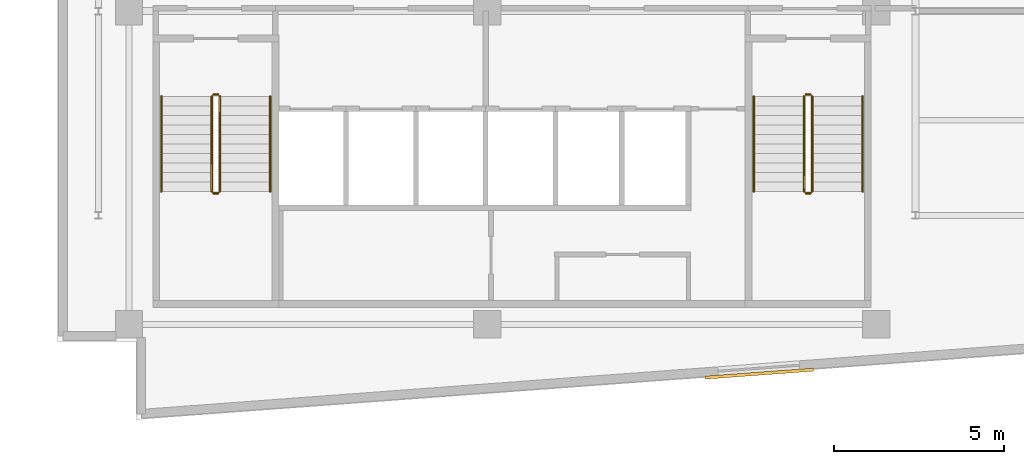
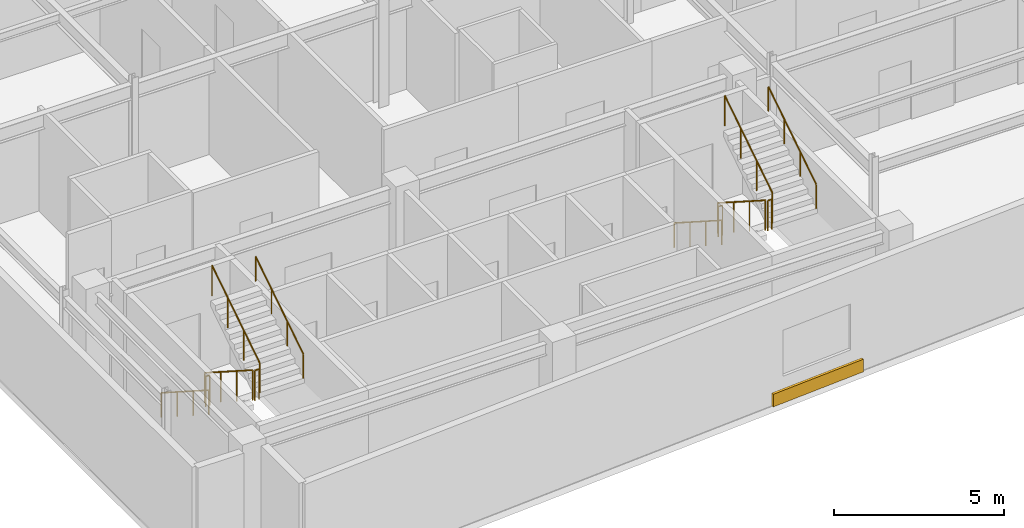
# One storey, part 13 of 15: 12 railings, 1 covering.
"""IFC4 building model written with IfcOpenShell, lengths in metres."""

from ifc_helpers import new_model, si_unit, direction, frame, origin, origin_2d, place, context, subcontext, project, spatial, rectangle, circle, extrude, material, layer, layer_set, type_object, element, save


model = new_model("IFC4")

# Units and contexts
model_context = context("Model", 3, precision=1e-05, world=origin(), true_north=direction((0.0, 1.0)))
body_context = subcontext(model_context, "Body", "Model", "MODEL_VIEW")
ifc_project = project(units=[si_unit("LENGTHUNIT", "METRE"), si_unit("AREAUNIT", "SQUARE_METRE"), si_unit("VOLUMEUNIT", "CUBIC_METRE"), si_unit("PLANEANGLEUNIT", "RADIAN"), si_unit("MASSUNIT", "GRAM", prefix="KILO")], contexts=[model_context])

# Site, building, storey
site_placement = place(None, origin())
site = spatial("IfcSite", under=ifc_project, at=site_placement, CompositionType="ELEMENT")
building_placement = place(site_placement, origin())
building = spatial("IfcBuilding", under=site, at=building_placement, Name="Varnakote Quay Hospital", CompositionType="ELEMENT")
storey_placement = place(building_placement, frame((0.0, 0.0, 284.199951171875)))
storey = spatial("IfcBuildingStorey", under=building, at=storey_placement, Name="L70", CompositionType="ELEMENT", Elevation=284.199951171875)

# Covering
ifc_material_1 = material(Name="Kiln-fired red brick architectural cladding", Category="masonry")
ifc_layer = layer(ifc_material_1, 0.090087890625)
ifc_layer_set = layer_set([ifc_layer], Name="Kiln-fired red brick architectural cladding")
covering_type = type_object("IfcCoveringType", Name="COV-BRICK-CLAD-90", PredefinedType="CLADDING", material=ifc_layer_set)
covering_placement = place(storey_placement, frame((20.61181640625, 1.350830078125, 0.0), z_axis=(0.0, 0.0, 1.0), x_axis=(0.997288851512, 0.073586321085, 0.0)))
element("IfcCovering", 1, at=covering_placement, inside=storey, type_object=covering_type, Name="L70 Kiln-Brick Precast Spandrel Cladding Band", PredefinedType="CLADDING", context=body_context, shape_type="SweptSolid", body=[
    extrude(rectangle(XDim=3.199951171875, YDim=0.090087890625, at=origin_2d()), origin(), (0.0, 0.0, 1.0), 0.449951171875),
])

# Railings
ifc_material_2 = material(Name="Brushed stainless steel balustrade", Category="steel")
railing_type_1 = type_object("IfcRailingType", Name="RLG-STAIR-GUARD-1150", PredefinedType="GUARDRAIL", material=ifc_material_2)
railing_1_placement = place(storey_placement, frame((4.530029296875, 9.5, 0.1796875)))
element("IfcRailing", 2, at=railing_1_placement, inside=storey, type_object=railing_type_1, Name="L70 ST-01 stair guard 1", PredefinedType="GUARDRAIL", context=body_context, shape_type="SweptSolid", body=[
    extrude(circle(Radius=0.02392578125, at=origin_2d()), frame((0.0, 0.0, 1.076171875), z_axis=(0.0, -0.841809871826, 0.539774156196), x_axis=(1.0, 0.0, 0.0)), (0.0, 0.0, 1.0), 3.326171875),
    extrude(circle(Radius=0.02099609375, at=origin_2d()), origin(), (0.0, 0.0, 1.0), 1.052001953125),
    extrude(circle(Radius=0.02099609375, at=origin_2d()), frame((0.0, -0.933349609375, 0.598388671875)), (0.0, 0.0, 1.0), 1.052001953125),
    extrude(circle(Radius=0.02099609375, at=origin_2d()), frame((0.0, -1.86669921875, 1.197021484375)), (0.0, 0.0, 1.0), 1.052001953125),
    extrude(circle(Radius=0.02099609375, at=origin_2d()), frame((0.0, -2.800048828125, 1.79541015625)), (0.0, 0.0, 1.0), 1.052001953125),
])
railing_2_placement = place(storey_placement, frame((4.580078125, 6.64990234375, 1.97509765625)))
element("IfcRailing", 3, at=railing_2_placement, inside=storey, type_object=railing_type_1, Name="L70 ST-01 stair guard 2", PredefinedType="GUARDRAIL", context=body_context, shape_type="SweptSolid", body=[
    extrude(circle(Radius=0.02392578125, at=origin_2d()), frame((0.0, 0.0, 1.076171875), z_axis=(1.0, 0.0, 0.0), x_axis=(0.0, 1.0, 0.0)), (0.0, 0.0, 1.0), 0.139892578125),
    extrude(circle(Radius=0.02099609375, at=origin_2d()), origin(), (0.0, 0.0, 1.0), 1.052001953125),
    extrude(circle(Radius=0.02099609375, at=origin_2d()), frame((0.139892578125, 0.0, 0.0)), (0.0, 0.0, 1.0), 1.052001953125),
])
railing_3_placement = place(storey_placement, frame((4.77001953125, 6.699951171875, 2.154541015625)))
element("IfcRailing", 4, at=railing_3_placement, inside=storey, type_object=railing_type_1, Name="L70 ST-01 stair guard 3", PredefinedType="GUARDRAIL", context=body_context, shape_type="SweptSolid", body=[
    extrude(circle(Radius=0.02392578125, at=origin_2d()), frame((0.0, 0.0, 1.076171875), z_axis=(0.0, 0.841809871826, 0.539774156196), x_axis=(-1.0, 0.0, 0.0)), (0.0, 0.0, 1.0), 3.326171875),
    extrude(circle(Radius=0.02099609375, at=origin_2d()), origin(), (0.0, 0.0, 1.0), 1.052001953125),
    extrude(circle(Radius=0.02099609375, at=origin_2d()), frame((0.0, 0.933349609375, 0.598388671875)), (0.0, 0.0, 1.0), 1.052001953125),
    extrude(circle(Radius=0.02099609375, at=origin_2d()), frame((0.0, 1.86669921875, 1.197021484375)), (0.0, 0.0, 1.0), 1.052001953125),
    extrude(circle(Radius=0.02099609375, at=origin_2d()), frame((0.0, 2.800048828125, 1.79541015625)), (0.0, 0.0, 1.0), 1.052001953125),
])
railing_4_placement = place(storey_placement, frame((4.580078125, 9.550048828125, 0.0)))
element("IfcRailing", 5, at=railing_4_placement, inside=storey, type_object=railing_type_1, Name="L70 ST-01 stair guard 4", PredefinedType="GUARDRAIL", context=body_context, shape_type="SweptSolid", body=[
    extrude(circle(Radius=0.02392578125, at=origin_2d()), frame((0.0, 0.0, 1.076171875), z_axis=(1.0, 0.0, 0.0), x_axis=(0.0, 1.0, 0.0)), (0.0, 0.0, 1.0), 0.139892578125),
    extrude(circle(Radius=0.02099609375, at=origin_2d()), origin(), (0.0, 0.0, 1.0), 1.052001953125),
    extrude(circle(Radius=0.02099609375, at=origin_2d()), frame((0.139892578125, 0.0, 0.0)), (0.0, 0.0, 1.0), 1.052001953125),
])
railing_5_placement = place(storey_placement, frame((21.929931640625, 9.5, 0.1796875)))
element("IfcRailing", 6, at=railing_5_placement, inside=storey, type_object=railing_type_1, Name="L70 ST-02 stair guard 1", PredefinedType="GUARDRAIL", context=body_context, shape_type="SweptSolid", body=[
    extrude(circle(Radius=0.02392578125, at=origin_2d()), frame((0.0, 0.0, 1.076171875), z_axis=(0.0, -0.841809871826, 0.539774156196), x_axis=(1.0, 0.0, 0.0)), (0.0, 0.0, 1.0), 3.326171875),
    extrude(circle(Radius=0.02099609375, at=origin_2d()), origin(), (0.0, 0.0, 1.0), 1.052001953125),
    extrude(circle(Radius=0.02099609375, at=origin_2d()), frame((0.0, -0.933349609375, 0.598388671875)), (0.0, 0.0, 1.0), 1.052001953125),
    extrude(circle(Radius=0.02099609375, at=origin_2d()), frame((0.0, -1.86669921875, 1.197021484375)), (0.0, 0.0, 1.0), 1.052001953125),
    extrude(circle(Radius=0.02099609375, at=origin_2d()), frame((0.0, -2.800048828125, 1.79541015625)), (0.0, 0.0, 1.0), 1.052001953125),
])
railing_6_placement = place(storey_placement, frame((21.97998046875, 6.64990234375, 1.97509765625)))
element("IfcRailing", 7, at=railing_6_placement, inside=storey, type_object=railing_type_1, Name="L70 ST-02 stair guard 2", PredefinedType="GUARDRAIL", context=body_context, shape_type="SweptSolid", body=[
    extrude(circle(Radius=0.02392578125, at=origin_2d()), frame((0.0, 0.0, 1.076171875), z_axis=(1.0, 0.0, 0.0), x_axis=(0.0, 1.0, 0.0)), (0.0, 0.0, 1.0), 0.14013671875),
    extrude(circle(Radius=0.02099609375, at=origin_2d()), origin(), (0.0, 0.0, 1.0), 1.052001953125),
    extrude(circle(Radius=0.02099609375, at=origin_2d()), frame((0.14013671875, 0.0, 0.0)), (0.0, 0.0, 1.0), 1.052001953125),
])
railing_7_placement = place(storey_placement, frame((22.169921875, 6.699951171875, 2.154541015625)))
element("IfcRailing", 8, at=railing_7_placement, inside=storey, type_object=railing_type_1, Name="L70 ST-02 stair guard 3", PredefinedType="GUARDRAIL", context=body_context, shape_type="SweptSolid", body=[
    extrude(circle(Radius=0.02392578125, at=origin_2d()), frame((0.0, 0.0, 1.076171875), z_axis=(0.0, 0.841809871826, 0.539774156196), x_axis=(-1.0, 0.0, 0.0)), (0.0, 0.0, 1.0), 3.326171875),
    extrude(circle(Radius=0.02099609375, at=origin_2d()), origin(), (0.0, 0.0, 1.0), 1.052001953125),
    extrude(circle(Radius=0.02099609375, at=origin_2d()), frame((0.0, 0.933349609375, 0.598388671875)), (0.0, 0.0, 1.0), 1.052001953125),
    extrude(circle(Radius=0.02099609375, at=origin_2d()), frame((0.0, 1.86669921875, 1.197021484375)), (0.0, 0.0, 1.0), 1.052001953125),
    extrude(circle(Radius=0.02099609375, at=origin_2d()), frame((0.0, 2.800048828125, 1.79541015625)), (0.0, 0.0, 1.0), 1.052001953125),
])
railing_8_placement = place(storey_placement, frame((21.97998046875, 9.550048828125, 0.0)))
element("IfcRailing", 9, at=railing_8_placement, inside=storey, type_object=railing_type_1, Name="L70 ST-02 stair guard 4", PredefinedType="GUARDRAIL", context=body_context, shape_type="SweptSolid", body=[
    extrude(circle(Radius=0.02392578125, at=origin_2d()), frame((0.0, 0.0, 1.076171875), z_axis=(1.0, 0.0, 0.0), x_axis=(0.0, 1.0, 0.0)), (0.0, 0.0, 1.0), 0.14013671875),
    extrude(circle(Radius=0.02099609375, at=origin_2d()), origin(), (0.0, 0.0, 1.0), 1.052001953125),
    extrude(circle(Radius=0.02099609375, at=origin_2d()), frame((0.14013671875, 0.0, 0.0)), (0.0, 0.0, 1.0), 1.052001953125),
])
ifc_material_3 = material(Name="Brushed stainless steel handrail", Category="steel")
railing_type_2 = type_object("IfcRailingType", Name="RLG-STAIR-HND-920", PredefinedType="HANDRAIL", material=ifc_material_3)
railing_9_placement = place(storey_placement, frame((3.050048828125, 9.5, 0.1796875)))
element("IfcRailing", 10, at=railing_9_placement, inside=storey, type_object=railing_type_2, Name="L70 ST-01 stair handrail 1", PredefinedType="HANDRAIL", context=body_context, shape_type="SweptSolid", body=[
    extrude(circle(Radius=0.02392578125, at=origin_2d()), frame((0.0, 0.0, 0.8759765625), z_axis=(0.0, -0.841809871826, 0.539774156196), x_axis=(1.0, 0.0, 0.0)), (0.0, 0.0, 1.0), 3.326171875),
    extrude(circle(Radius=0.02099609375, at=origin_2d()), origin(), (0.0, 0.0, 1.0), 0.851806640625),
    extrude(circle(Radius=0.02099609375, at=origin_2d()), frame((0.0, -0.933349609375, 0.598388671875)), (0.0, 0.0, 1.0), 0.851806640625),
    extrude(circle(Radius=0.02099609375, at=origin_2d()), frame((0.0, -1.86669921875, 1.197021484375)), (0.0, 0.0, 1.0), 0.851806640625),
    extrude(circle(Radius=0.02099609375, at=origin_2d()), frame((0.0, -2.800048828125, 1.79541015625)), (0.0, 0.0, 1.0), 0.851806640625),
])
railing_10_placement = place(storey_placement, frame((6.25, 6.699951171875, 2.154541015625)))
element("IfcRailing", 11, at=railing_10_placement, inside=storey, type_object=railing_type_2, Name="L70 ST-01 stair handrail 2", PredefinedType="HANDRAIL", context=body_context, shape_type="SweptSolid", body=[
    extrude(circle(Radius=0.02392578125, at=origin_2d()), frame((0.0, 0.0, 0.8759765625), z_axis=(0.0, 0.841809871826, 0.539774156196), x_axis=(-1.0, 0.0, 0.0)), (0.0, 0.0, 1.0), 3.326171875),
    extrude(circle(Radius=0.02099609375, at=origin_2d()), origin(), (0.0, 0.0, 1.0), 0.851806640625),
    extrude(circle(Radius=0.02099609375, at=origin_2d()), frame((0.0, 0.933349609375, 0.598388671875)), (0.0, 0.0, 1.0), 0.851806640625),
    extrude(circle(Radius=0.02099609375, at=origin_2d()), frame((0.0, 1.86669921875, 1.197021484375)), (0.0, 0.0, 1.0), 0.851806640625),
    extrude(circle(Radius=0.02099609375, at=origin_2d()), frame((0.0, 2.800048828125, 1.79541015625)), (0.0, 0.0, 1.0), 0.851806640625),
])
railing_11_placement = place(storey_placement, frame((20.449951171875, 9.5, 0.1796875)))
element("IfcRailing", 12, at=railing_11_placement, inside=storey, type_object=railing_type_2, Name="L70 ST-02 stair handrail 1", PredefinedType="HANDRAIL", context=body_context, shape_type="SweptSolid", body=[
    extrude(circle(Radius=0.02392578125, at=origin_2d()), frame((0.0, 0.0, 0.8759765625), z_axis=(0.0, -0.841809871826, 0.539774156196), x_axis=(1.0, 0.0, 0.0)), (0.0, 0.0, 1.0), 3.326171875),
    extrude(circle(Radius=0.02099609375, at=origin_2d()), origin(), (0.0, 0.0, 1.0), 0.851806640625),
    extrude(circle(Radius=0.02099609375, at=origin_2d()), frame((0.0, -0.933349609375, 0.598388671875)), (0.0, 0.0, 1.0), 0.851806640625),
    extrude(circle(Radius=0.02099609375, at=origin_2d()), frame((0.0, -1.86669921875, 1.197021484375)), (0.0, 0.0, 1.0), 0.851806640625),
    extrude(circle(Radius=0.02099609375, at=origin_2d()), frame((0.0, -2.800048828125, 1.79541015625)), (0.0, 0.0, 1.0), 0.851806640625),
])
railing_12_placement = place(storey_placement, frame((23.64990234375, 6.699951171875, 2.154541015625)))
element("IfcRailing", 13, at=railing_12_placement, inside=storey, type_object=railing_type_2, Name="L70 ST-02 stair handrail 2", PredefinedType="HANDRAIL", context=body_context, shape_type="SweptSolid", body=[
    extrude(circle(Radius=0.02392578125, at=origin_2d()), frame((0.0, 0.0, 0.8759765625), z_axis=(0.0, 0.841809871826, 0.539774156196), x_axis=(-1.0, 0.0, 0.0)), (0.0, 0.0, 1.0), 3.326171875),
    extrude(circle(Radius=0.02099609375, at=origin_2d()), origin(), (0.0, 0.0, 1.0), 0.851806640625),
    extrude(circle(Radius=0.02099609375, at=origin_2d()), frame((0.0, 0.933349609375, 0.598388671875)), (0.0, 0.0, 1.0), 0.851806640625),
    extrude(circle(Radius=0.02099609375, at=origin_2d()), frame((0.0, 1.86669921875, 1.197021484375)), (0.0, 0.0, 1.0), 0.851806640625),
    extrude(circle(Radius=0.02099609375, at=origin_2d()), frame((0.0, 2.800048828125, 1.79541015625)), (0.0, 0.0, 1.0), 0.851806640625),
])

save(model, "model.ifc")
